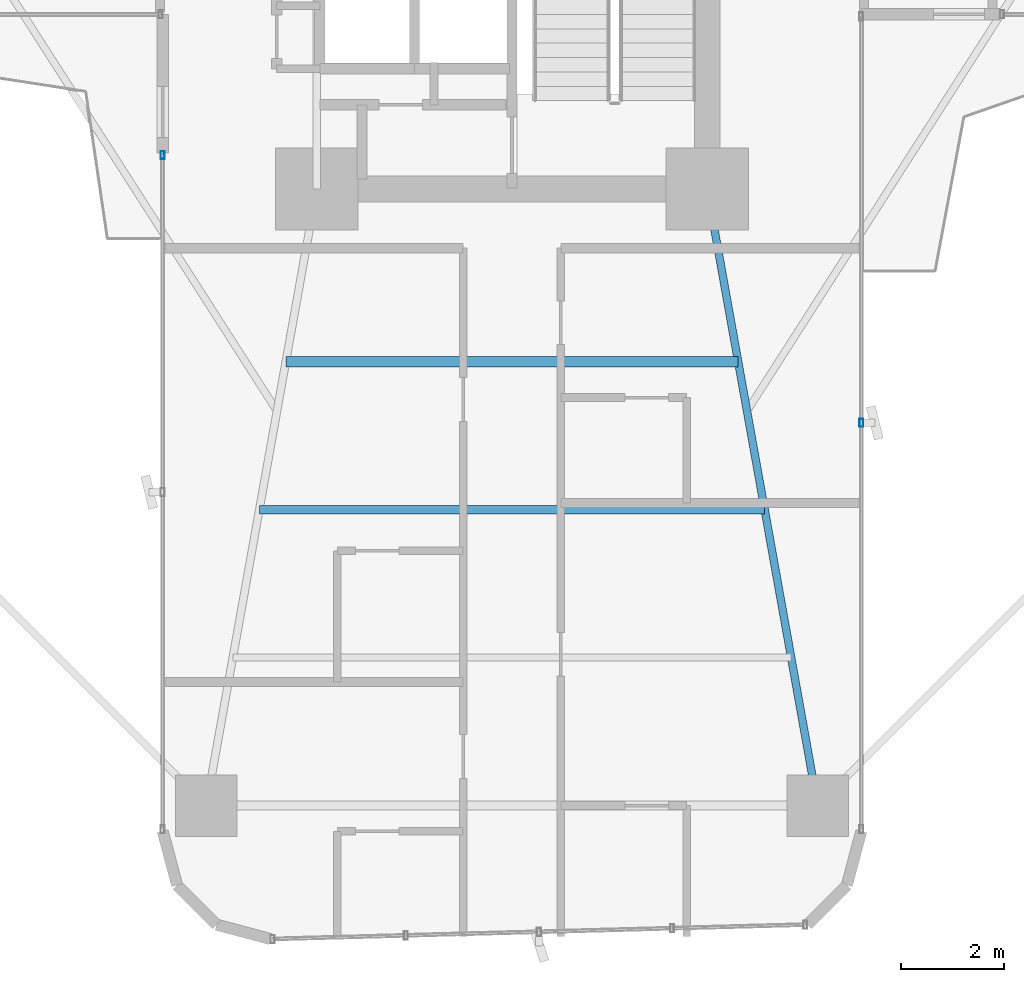
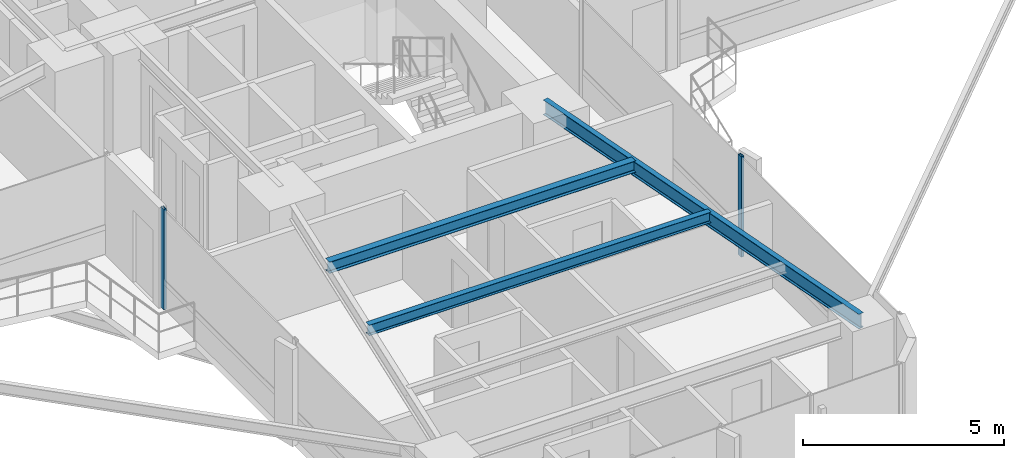
# One storey, part 4 of 26: 3 beams, 2 members, 2 elements without a shape of their own.
"""IFC4 building model written with IfcOpenShell, lengths in metres."""

import ifcopenshell
import ifcopenshell.guid

model = None  # the IFC model being written
_history = None  # IfcOwnerHistory: only IFC2X3 demands one
_inside = {}  # id of a spatial element -> (the spatial element, [elements in it])
_under = {}  # id of a project, library or spatial element -> (it, [spatial elements below it])
_declared = {}  # id of a project -> (the project, [libraries it declares])
_typed = {}  # id of a type object -> (the type object, [elements of that type])
_made_of = {}  # id of a material, layer set ... -> (it, [elements and type objects made of it])


def new_model(schema):
    """Start an empty IFC model of exactly this schema.

    Asked for "IFC4X3", IfcOpenShell would pick the latest addendum, in which some entities
    have other attributes; the version numbers below select the first issue.
    IFC2X3 requires an IfcOwnerHistory on every rooted entity: one is made here for all.
    """
    global model, _history
    if schema == "IFC4X3":
        model = ifcopenshell.file(schema_version=(4, 3, 0, 0))
    else:
        model = ifcopenshell.file(schema=schema)
    _inside.clear()
    _under.clear()
    _declared.clear()
    _typed.clear()
    _made_of.clear()
    _history = None
    if model.schema == "IFC2X3":
        org = make("IfcOrganization", Name="unknown")
        user = make(
            "IfcPersonAndOrganization",
            ThePerson=make("IfcPerson", FamilyName="unknown"),
            TheOrganization=org,
        )
        app = make(
            "IfcApplication",
            ApplicationDeveloper=org,
            Version="unknown",
            ApplicationFullName="unknown",
            ApplicationIdentifier="unknown",
        )
        _history = make(
            "IfcOwnerHistory",
            OwningUser=user,
            OwningApplication=app,
            ChangeAction="ADDED",
            CreationDate=0,
        )
    return model


def make(cls, **values):
    """One entity of the class cls with the attributes given. An attribute that is None is left unset."""
    return model.create_entity(
        cls, **{name: value for name, value in values.items() if value is not None}
    )


def rooted(cls, **values):
    """An entity with a GlobalId (a new one), such as an element, a storey or a relation."""
    return make(cls, GlobalId=ifcopenshell.guid.new(), OwnerHistory=_history, **values)


def si_unit(unit_type, name, prefix=None):
    """IfcSIUnit, for example si_unit("LENGTHUNIT", "METRE", prefix="MILLI")."""
    return make("IfcSIUnit", UnitType=unit_type, Prefix=prefix, Name=name)


def assignment(units):
    """IfcUnitAssignment: the units of a project."""
    return None if units is None else make("IfcUnitAssignment", Units=units)


def point(xyz):
    """IfcCartesianPoint."""
    return None if xyz is None else make("IfcCartesianPoint", Coordinates=xyz)


def direction(xyz):
    """IfcDirection."""
    return None if xyz is None else make("IfcDirection", DirectionRatios=xyz)


def frame(location, z_axis=None, x_axis=None):
    """IfcAxis2Placement3D, a coordinate frame: its origin and axes. An axis left out is left unset."""
    return make(
        "IfcAxis2Placement3D",
        Location=point(location),
        Axis=direction(z_axis),
        RefDirection=direction(x_axis),
    )


def frame_2d(location, x_axis=None):
    """IfcAxis2Placement2D, a coordinate frame in the plane: its origin and x axis."""
    return make(
        "IfcAxis2Placement2D", Location=point(location), RefDirection=direction(x_axis)
    )


def origin():
    """The frame at (0, 0, 0) with its axes left unset."""
    return frame((0.0, 0.0, 0.0))


def origin_2d():
    """The frame at (0, 0) in the plane with its x axis left unset."""
    return frame_2d((0.0, 0.0))


def place(relative_to, where):
    """IfcLocalPlacement: puts the frame where relative to a parent placement (None: the world)."""
    return make(
        "IfcLocalPlacement", PlacementRelTo=relative_to, RelativePlacement=where
    )


def context(
    kind, dimensions, precision=None, world=None, true_north=None, identifier=None
):
    """IfcGeometricRepresentationContext, for example the 3D "Model" context."""
    return make(
        "IfcGeometricRepresentationContext",
        ContextIdentifier=identifier,
        ContextType=kind,
        CoordinateSpaceDimension=dimensions,
        Precision=precision,
        WorldCoordinateSystem=world,
        TrueNorth=true_north,
    )


def subcontext(parent, identifier, kind, view, scale=None):
    """IfcGeometricRepresentationSubContext, for example "Body" below "Model"."""
    return make(
        "IfcGeometricRepresentationSubContext",
        ContextIdentifier=identifier,
        ContextType=kind,
        ParentContext=parent,
        TargetScale=scale,
        TargetView=view,
    )


def project(units=None, contexts=None):
    """IfcProject with its units and contexts."""
    return rooted(
        "IfcProject",
        Name="project",
        RepresentationContexts=contexts,
        UnitsInContext=assignment(units),
    )


def spatial(cls, under=None, at=None, **own):
    """A site, building, storey or space (cls), placed at a placement, below another one or the project."""
    s = rooted(cls, ObjectPlacement=at, **own)
    if under is not None:
        _under.setdefault(under.id(), (under, []))[1].append(s)
    return s


def profile(cls, at=None, kind="AREA", **sizes):
    """A parametric profile (cls). Its sizes go by their IFC names, for example OverallWidth=200.0."""
    return make(cls, ProfileType=kind, Position=at, **sizes)


def hollow_rectangle(**sizes):
    """IfcRectangleHollowProfileDef."""
    return profile("IfcRectangleHollowProfileDef", **sizes)


def i_section(**sizes):
    """IfcIShapeProfileDef."""
    return profile("IfcIShapeProfileDef", **sizes)


def extrude(swept, where, along, depth):
    """IfcExtrudedAreaSolid: the profile swept, set in the frame where, extruded along a direction by depth."""
    return make(
        "IfcExtrudedAreaSolid",
        SweptArea=swept,
        Position=where,
        ExtrudedDirection=direction(along),
        Depth=depth,
    )


def shape(context_of_items, identifier, shape_type, items):
    """IfcShapeRepresentation: the items that make up one representation, for example the "Body"."""
    return make(
        "IfcShapeRepresentation",
        ContextOfItems=context_of_items,
        RepresentationIdentifier=identifier,
        RepresentationType=shape_type,
        Items=items,
    )


def source(mapping_origin, context_of_items, identifier, shape_type, items):
    """IfcRepresentationMap: a shape defined once, which mapped items show again and again."""
    return make(
        "IfcRepresentationMap",
        MappingOrigin=mapping_origin,
        MappedRepresentation=shape(context_of_items, identifier, shape_type, items),
    )


def transform(
    local_origin,
    x_axis=None,
    y_axis=None,
    z_axis=None,
    scale=None,
    scale2=None,
    scale3=None,
    uniform=True,
):
    """IfcCartesianTransformationOperator3D, or its non-uniform kind. x_axis, y_axis, z_axis: its Axis1, 2, 3."""
    if uniform:
        return make(
            "IfcCartesianTransformationOperator3D",
            Axis1=direction(x_axis),
            Axis2=direction(y_axis),
            LocalOrigin=point(local_origin),
            Scale=scale,
            Axis3=direction(z_axis),
        )
    return make(
        "IfcCartesianTransformationOperator3DnonUniform",
        Axis1=direction(x_axis),
        Axis2=direction(y_axis),
        LocalOrigin=point(local_origin),
        Scale=scale,
        Axis3=direction(z_axis),
        Scale2=scale2,
        Scale3=scale3,
    )


def mapped(mapping_source, mapping_target):
    """IfcMappedItem: shows the shape of a source again, moved by a transform."""
    return make(
        "IfcMappedItem", MappingSource=mapping_source, MappingTarget=mapping_target
    )


def material(Name=None, Category=None):
    """IfcMaterial."""
    return make("IfcMaterial", Name=Name, Category=Category)


def material_profile(
    of_material, cross_section, Name=None, Category=None, Priority=None
):
    """IfcMaterialProfile: a cross section and its material."""
    return make(
        "IfcMaterialProfile",
        Name=Name,
        Material=of_material,
        Profile=cross_section,
        Priority=Priority,
        Category=Category,
    )


def profile_set(profiles, Name=None, composite=None):
    """IfcMaterialProfileSet."""
    return make(
        "IfcMaterialProfileSet",
        Name=Name,
        MaterialProfiles=profiles,
        CompositeProfile=composite,
    )


def made_of(thing, what):
    """Note that an element or type object is made of a material, layer set ...; save() writes the relation."""
    if what is not None:
        _made_of.setdefault(what.id(), (what, []))[1].append(thing)
    return thing


def type_object(cls, material=None, **own):
    """A type object (cls), such as IfcWallType, which elements share."""
    return made_of(rooted(cls, **own), material)


def element(
    cls,
    number,
    at=None,
    inside=None,
    cuts=None,
    type_object=None,
    material=None,
    context=None,
    identifier="Body",
    shape_type=None,
    held_by="IfcProductDefinitionShape",
    body=None,
    shapes=None,
    **own,
):
    """One element of the class cls, such as IfcWall. Its Tag is "e" and its number.

    at: its placement. inside: the storey or other place that contains it. cuts: it is an
    opening in that element (IfcRelVoidsElement). A single representation is given by context,
    identifier, shape_type and body (its items); several are given by shapes. held_by: the class
    of the entity that holds the representations. save() writes the other relations.
    """
    e = rooted(cls, Tag="e%d" % number, ObjectPlacement=at, **own)
    if body is not None:
        shapes = [shape(context, identifier, shape_type, body)]
    if shapes is not None:
        e.Representation = make(held_by, Representations=shapes)
    if inside is not None:
        _inside.setdefault(inside.id(), (inside, []))[1].append(e)
    if cuts is not None:
        rooted(
            "IfcRelVoidsElement", RelatingBuildingElement=cuts, RelatedOpeningElement=e
        )
    if type_object is not None:
        _typed.setdefault(type_object.id(), (type_object, []))[1].append(e)
    return made_of(e, material)


def aggregate(whole, parts):
    """IfcRelAggregates: a whole, such as a stair, and the parts it consists of."""
    return rooted("IfcRelAggregates", RelatingObject=whole, RelatedObjects=parts)


def save(model, path):
    """Write the relations noted so far, then the file.

    IfcRelAggregates (storeys below a building ...), IfcRelContainedInSpatialStructure (elements
    in a storey), IfcRelDefinesByType, IfcRelAssociatesMaterial and IfcRelDeclares: one each for
    every whole, place, type object, material and project.
    """
    for whole, parts in _under.values():
        aggregate(whole, parts)
    for where, things in _inside.values():
        rooted(
            "IfcRelContainedInSpatialStructure",
            RelatedElements=things,
            RelatingStructure=where,
        )
    for kind, things in _typed.values():
        rooted("IfcRelDefinesByType", RelatedObjects=things, RelatingType=kind)
    for what, things in _made_of.values():
        rooted("IfcRelAssociatesMaterial", RelatedObjects=things, RelatingMaterial=what)
    for by, libraries in _declared.values():
        rooted("IfcRelDeclares", RelatingContext=by, RelatedDefinitions=libraries)
    model.write(path)


model = new_model("IFC4")

# Units and contexts
model_context = context("Model", 3, precision=1e-05, world=origin(), true_north=direction((0.0, 1.0)))
body_context = subcontext(model_context, "Body", "Model", "MODEL_VIEW")
ifc_project = project(units=[si_unit("LENGTHUNIT", "METRE"), si_unit("AREAUNIT", "SQUARE_METRE"), si_unit("VOLUMEUNIT", "CUBIC_METRE"), si_unit("PLANEANGLEUNIT", "RADIAN"), si_unit("MASSUNIT", "GRAM", prefix="KILO")], contexts=[model_context])

# Site, building, storey
site_placement = place(None, origin())
site = spatial("IfcSite", under=ifc_project, at=site_placement, CompositionType="ELEMENT")
building_placement = place(site_placement, origin())
building = spatial("IfcBuilding", under=site, at=building_placement, Name="Sahyath Konkavel Grand Hotel", CompositionType="ELEMENT")
storey_placement = place(building_placement, frame((0.0, 0.0, 43.199951171875)))
storey = spatial("IfcBuildingStorey", under=building, at=storey_placement, Name="L11", CompositionType="ELEMENT", Elevation=43.199951171875)

# Beams
ifc_material_1 = material(Name="Steel E350", Category="steel")
ifc_material_profile_1 = material_profile(ifc_material_1, i_section(OverallWidth=0.14990234375, OverallDepth=0.449951171875, WebThickness=0.009521484375, FlangeThickness=0.017333984375, FilletRadius=0.014892578125, at=origin_2d()), Name="ISMB 450")
ifc_profile_set_1 = profile_set([ifc_material_profile_1], Name="Steel E350")
beam_type_1 = type_object("IfcBeamType", Name="BM-ISMB450", PredefinedType="BEAM", material=ifc_profile_set_1)
shared_shape_1 = source(origin(), body_context, "Body", "SweptSolid", [
    extrude(i_section(OverallWidth=0.14990234375, OverallDepth=0.449951171875, WebThickness=0.009521484375, FlangeThickness=0.017333984375, FilletRadius=0.014892578125, at=origin_2d()), origin(), (0.0, 0.0, 1.0), 12.191162109375),
])
beam_1_placement = place(storey_placement, frame((3.800048828125, -10.199951171875, 2.824951171875), z_axis=(0.176350650305, -0.984327409014, 0.0), x_axis=(0.984327409014, 0.176350650305, 0.0)))
element("IfcBeam", 1, at=beam_1_placement, inside=storey, type_object=beam_type_1, Name="L11 Cruciform Radial Girder SB", PredefinedType="BEAM", context=body_context, shape_type="MappedRepresentation", body=[
    mapped(shared_shape_1, transform((0.0, 0.0, 0.0), scale=1.0)),
])
ifc_material_profile_2 = material_profile(ifc_material_1, i_section(OverallWidth=0.199951171875, OverallDepth=0.35009765625, WebThickness=0.008056640625, FlangeThickness=0.011474609375, FilletRadius=0.013916015625, at=origin_2d()), Name="ISWB 350")
ifc_profile_set_2 = profile_set([ifc_material_profile_2], Name="Steel E350")
beam_type_2 = type_object("IfcBeamType", Name="BM-ISWB350", PredefinedType="BEAM", material=ifc_profile_set_2)
shared_shape_2 = source(origin(), body_context, "Body", "SweptSolid", [
    extrude(i_section(OverallWidth=0.199951171875, OverallDepth=0.35009765625, WebThickness=0.008056640625, FlangeThickness=0.011474609375, FilletRadius=0.013916015625, at=origin_2d()), origin(), (0.0, 0.0, 1.0), 8.80419921875),
])
beam_2_placement = place(storey_placement, frame((-4.402099609375, -13.56005859375, 2.875), z_axis=(1.0, 0.0, 0.0), x_axis=(0.0, 1.0, 0.0)))
element("IfcBeam", 2, at=beam_2_placement, inside=storey, type_object=beam_type_2, Name="L11 Secondary Floor Beam S-1", PredefinedType="BEAM", context=body_context, shape_type="MappedRepresentation", body=[
    mapped(shared_shape_2, transform((0.0, 0.0, 0.0), scale=1.0)),
])
ifc_material_profile_3 = material_profile(ifc_material_1, i_section(OverallWidth=0.1650390625, OverallDepth=0.324951171875, WebThickness=0.007080078125, FlangeThickness=0.009765625, FilletRadius=0.014892578125, at=origin_2d()), Name="ISLB 325")
ifc_profile_set_3 = profile_set([ifc_material_profile_3], Name="Steel E350")
beam_type_3 = type_object("IfcBeamType", Name="BM-ISLB325", PredefinedType="BEAM", material=ifc_profile_set_3)
shared_shape_3 = source(origin(), body_context, "Body", "SweptSolid", [
    extrude(i_section(OverallWidth=0.1650390625, OverallDepth=0.324951171875, WebThickness=0.007080078125, FlangeThickness=0.009765625, FilletRadius=0.014892578125, at=origin_2d()), origin(), (0.0, 0.0, 1.0), 9.8359375),
])
beam_3_placement = place(storey_placement, frame((-4.91796875, -16.43994140625, 2.887451171875), z_axis=(1.0, 0.0, 0.0), x_axis=(0.0, 1.0, 0.0)))
element("IfcBeam", 3, at=beam_3_placement, inside=storey, type_object=beam_type_3, Name="L11 Secondary Floor Beam S-2", PredefinedType="BEAM", context=body_context, shape_type="MappedRepresentation", body=[
    mapped(shared_shape_3, transform((0.0, 0.0, 0.0), scale=1.0)),
])

# Curtain wall, member
ifc_material_2 = material(Name="Anodised Bronze Aluminium & Low-E Glazing", Category="aluminium")
curtain_wall_type = type_object("IfcCurtainWallType", Name="CW-ZONE1", PredefinedType="NOTDEFINED", material=ifc_material_2)
curtain_wall_1_placement = place(storey_placement, origin())
curtain_wall_1 = element("IfcCurtainWall", 4, at=curtain_wall_1_placement, inside=storey, type_object=curtain_wall_type, Name="L11 Unitised Curtain Wall F24", PredefinedType="NOTDEFINED")
ifc_material_3 = material(Name="Anodised Bronze Aluminium", Category="aluminium")
ifc_material_profile_4 = material_profile(ifc_material_3, hollow_rectangle(XDim=0.080078125, YDim=0.159912109375, WallThickness=0.006103515625, at=origin_2d()), Name="RHS 160x80x6")
ifc_profile_set_4 = profile_set([ifc_material_profile_4], Name="Anodised Bronze Aluminium")
member_type = type_object("IfcMemberType", Name="CW-MUL-160", PredefinedType="MULLION", material=ifc_profile_set_4)
shared_shape_4 = source(origin(), body_context, "Body", "SweptSolid", [
    extrude(hollow_rectangle(XDim=0.080078125, YDim=0.159912109375, WallThickness=0.006103515625, at=origin_2d()), origin(), (0.0, 0.0, 1.0), 3.050048828125),
])
member_1_placement = place(storey_placement, frame((-6.800048828125, -9.5400390625, 0.0), z_axis=(0.0, 0.0, 1.0), x_axis=(1.0, 0.0, 0.0)))
member_1 = element("IfcMember", 5, at=member_1_placement, type_object=member_type, Name="L11 Curtain Wall Mullion F24-0", PredefinedType="MULLION", context=body_context, shape_type="MappedRepresentation", body=[
    mapped(shared_shape_4, transform((0.0, 0.0, 0.0), scale=1.0)),
])
aggregate(curtain_wall_1, [member_1])

curtain_wall_2_placement = place(storey_placement, origin())
curtain_wall_2 = element("IfcCurtainWall", 6, at=curtain_wall_2_placement, inside=storey, type_object=curtain_wall_type, Name="L11 Unitised Curtain Wall F31", PredefinedType="NOTDEFINED")
member_2_placement = place(storey_placement, frame((6.800048828125, -14.75, 0.0), z_axis=(0.0, 0.0, 1.0), x_axis=(1.0, 0.0, 0.0)))
member_2 = element("IfcMember", 7, at=member_2_placement, type_object=member_type, Name="L11 Curtain Wall Mullion F31-1", PredefinedType="MULLION", context=body_context, shape_type="MappedRepresentation", body=[
    mapped(shared_shape_4, transform((0.0, 0.0, 0.0), scale=1.0)),
])
aggregate(curtain_wall_2, [member_2])

save(model, "model.ifc")
